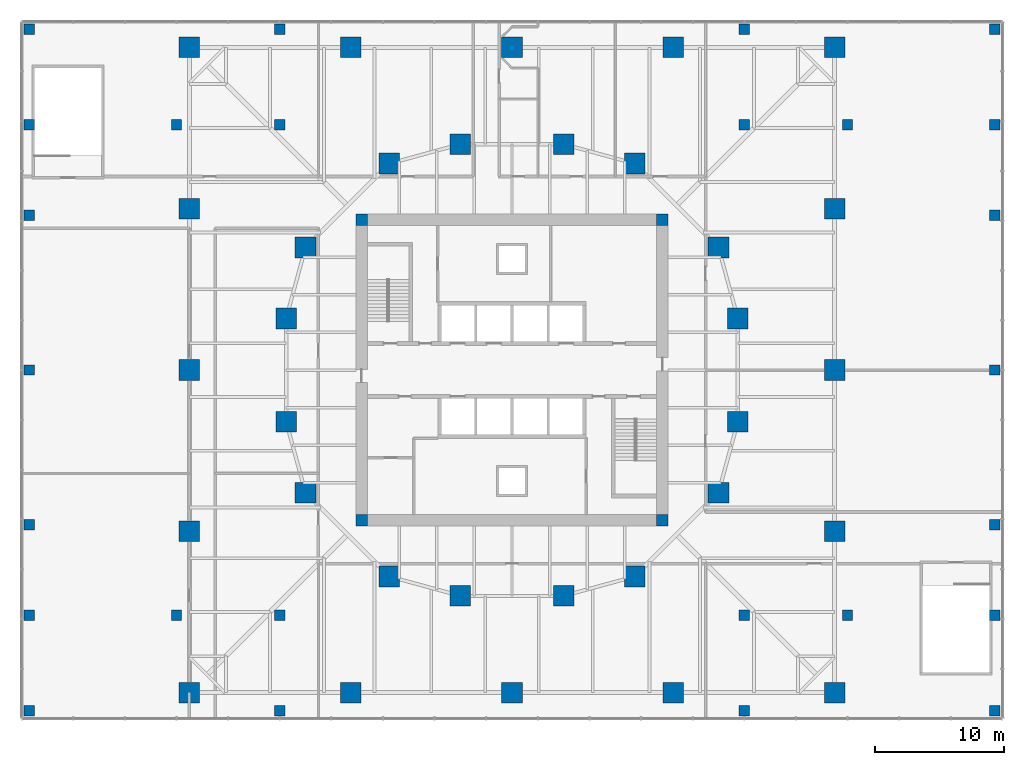
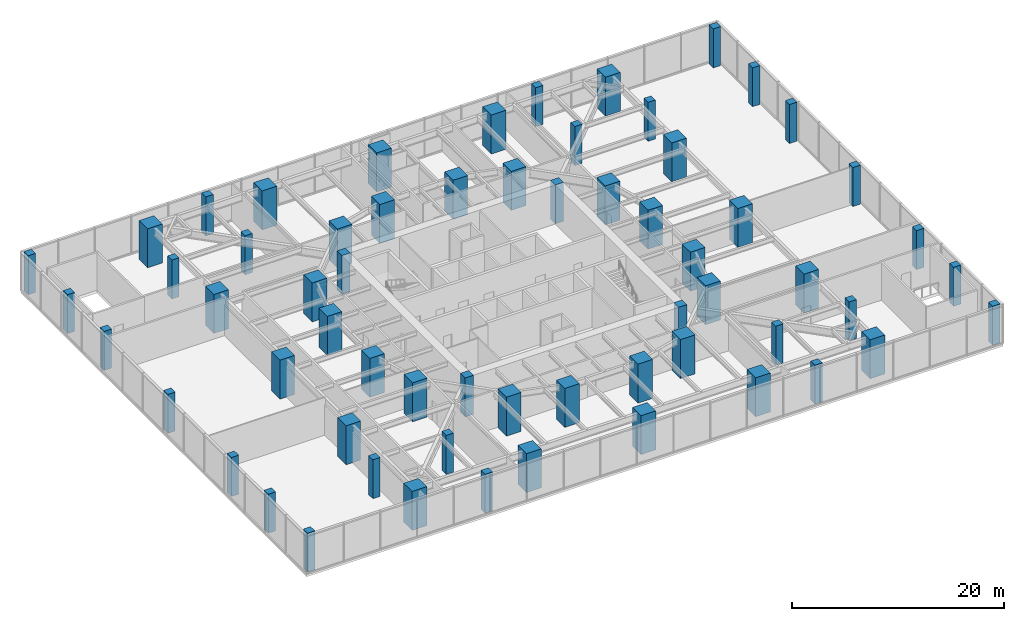
# One storey, part 1 of 14: 62 columns.
"""IFC4 building model written with IfcOpenShell, lengths in metres."""

import ifcopenshell
import ifcopenshell.guid

model = None  # the IFC model being written
_history = None  # IfcOwnerHistory: only IFC2X3 demands one
_inside = {}  # id of a spatial element -> (the spatial element, [elements in it])
_under = {}  # id of a project, library or spatial element -> (it, [spatial elements below it])
_declared = {}  # id of a project -> (the project, [libraries it declares])
_typed = {}  # id of a type object -> (the type object, [elements of that type])
_made_of = {}  # id of a material, layer set ... -> (it, [elements and type objects made of it])


def new_model(schema):
    """Start an empty IFC model of exactly this schema.

    Asked for "IFC4X3", IfcOpenShell would pick the latest addendum, in which some entities
    have other attributes; the version numbers below select the first issue.
    IFC2X3 requires an IfcOwnerHistory on every rooted entity: one is made here for all.
    """
    global model, _history
    if schema == "IFC4X3":
        model = ifcopenshell.file(schema_version=(4, 3, 0, 0))
    else:
        model = ifcopenshell.file(schema=schema)
    _inside.clear()
    _under.clear()
    _declared.clear()
    _typed.clear()
    _made_of.clear()
    _history = None
    if model.schema == "IFC2X3":
        org = make("IfcOrganization", Name="unknown")
        user = make(
            "IfcPersonAndOrganization",
            ThePerson=make("IfcPerson", FamilyName="unknown"),
            TheOrganization=org,
        )
        app = make(
            "IfcApplication",
            ApplicationDeveloper=org,
            Version="unknown",
            ApplicationFullName="unknown",
            ApplicationIdentifier="unknown",
        )
        _history = make(
            "IfcOwnerHistory",
            OwningUser=user,
            OwningApplication=app,
            ChangeAction="ADDED",
            CreationDate=0,
        )
    return model


def make(cls, **values):
    """One entity of the class cls with the attributes given. An attribute that is None is left unset."""
    return model.create_entity(
        cls, **{name: value for name, value in values.items() if value is not None}
    )


def rooted(cls, **values):
    """An entity with a GlobalId (a new one), such as an element, a storey or a relation."""
    return make(cls, GlobalId=ifcopenshell.guid.new(), OwnerHistory=_history, **values)


def si_unit(unit_type, name, prefix=None):
    """IfcSIUnit, for example si_unit("LENGTHUNIT", "METRE", prefix="MILLI")."""
    return make("IfcSIUnit", UnitType=unit_type, Prefix=prefix, Name=name)


def assignment(units):
    """IfcUnitAssignment: the units of a project."""
    return None if units is None else make("IfcUnitAssignment", Units=units)


def point(xyz):
    """IfcCartesianPoint."""
    return None if xyz is None else make("IfcCartesianPoint", Coordinates=xyz)


def direction(xyz):
    """IfcDirection."""
    return None if xyz is None else make("IfcDirection", DirectionRatios=xyz)


def frame(location, z_axis=None, x_axis=None):
    """IfcAxis2Placement3D, a coordinate frame: its origin and axes. An axis left out is left unset."""
    return make(
        "IfcAxis2Placement3D",
        Location=point(location),
        Axis=direction(z_axis),
        RefDirection=direction(x_axis),
    )


def frame_2d(location, x_axis=None):
    """IfcAxis2Placement2D, a coordinate frame in the plane: its origin and x axis."""
    return make(
        "IfcAxis2Placement2D", Location=point(location), RefDirection=direction(x_axis)
    )


def origin():
    """The frame at (0, 0, 0) with its axes left unset."""
    return frame((0.0, 0.0, 0.0))


def origin_2d():
    """The frame at (0, 0) in the plane with its x axis left unset."""
    return frame_2d((0.0, 0.0))


def place(relative_to, where):
    """IfcLocalPlacement: puts the frame where relative to a parent placement (None: the world)."""
    return make(
        "IfcLocalPlacement", PlacementRelTo=relative_to, RelativePlacement=where
    )


def context(
    kind, dimensions, precision=None, world=None, true_north=None, identifier=None
):
    """IfcGeometricRepresentationContext, for example the 3D "Model" context."""
    return make(
        "IfcGeometricRepresentationContext",
        ContextIdentifier=identifier,
        ContextType=kind,
        CoordinateSpaceDimension=dimensions,
        Precision=precision,
        WorldCoordinateSystem=world,
        TrueNorth=true_north,
    )


def subcontext(parent, identifier, kind, view, scale=None):
    """IfcGeometricRepresentationSubContext, for example "Body" below "Model"."""
    return make(
        "IfcGeometricRepresentationSubContext",
        ContextIdentifier=identifier,
        ContextType=kind,
        ParentContext=parent,
        TargetScale=scale,
        TargetView=view,
    )


def project(units=None, contexts=None):
    """IfcProject with its units and contexts."""
    return rooted(
        "IfcProject",
        Name="project",
        RepresentationContexts=contexts,
        UnitsInContext=assignment(units),
    )


def spatial(cls, under=None, at=None, **own):
    """A site, building, storey or space (cls), placed at a placement, below another one or the project."""
    s = rooted(cls, ObjectPlacement=at, **own)
    if under is not None:
        _under.setdefault(under.id(), (under, []))[1].append(s)
    return s


def profile(cls, at=None, kind="AREA", **sizes):
    """A parametric profile (cls). Its sizes go by their IFC names, for example OverallWidth=200.0."""
    return make(cls, ProfileType=kind, Position=at, **sizes)


def rectangle(**sizes):
    """IfcRectangleProfileDef."""
    return profile("IfcRectangleProfileDef", **sizes)


def extrude(swept, where, along, depth):
    """IfcExtrudedAreaSolid: the profile swept, set in the frame where, extruded along a direction by depth."""
    return make(
        "IfcExtrudedAreaSolid",
        SweptArea=swept,
        Position=where,
        ExtrudedDirection=direction(along),
        Depth=depth,
    )


def shape(context_of_items, identifier, shape_type, items):
    """IfcShapeRepresentation: the items that make up one representation, for example the "Body"."""
    return make(
        "IfcShapeRepresentation",
        ContextOfItems=context_of_items,
        RepresentationIdentifier=identifier,
        RepresentationType=shape_type,
        Items=items,
    )


def material(Name=None, Category=None):
    """IfcMaterial."""
    return make("IfcMaterial", Name=Name, Category=Category)


def material_profile(
    of_material, cross_section, Name=None, Category=None, Priority=None
):
    """IfcMaterialProfile: a cross section and its material."""
    return make(
        "IfcMaterialProfile",
        Name=Name,
        Material=of_material,
        Profile=cross_section,
        Priority=Priority,
        Category=Category,
    )


def profile_set(profiles, Name=None, composite=None):
    """IfcMaterialProfileSet."""
    return make(
        "IfcMaterialProfileSet",
        Name=Name,
        MaterialProfiles=profiles,
        CompositeProfile=composite,
    )


def made_of(thing, what):
    """Note that an element or type object is made of a material, layer set ...; save() writes the relation."""
    if what is not None:
        _made_of.setdefault(what.id(), (what, []))[1].append(thing)
    return thing


def type_object(cls, material=None, **own):
    """A type object (cls), such as IfcWallType, which elements share."""
    return made_of(rooted(cls, **own), material)


def element(
    cls,
    number,
    at=None,
    inside=None,
    cuts=None,
    type_object=None,
    material=None,
    context=None,
    identifier="Body",
    shape_type=None,
    held_by="IfcProductDefinitionShape",
    body=None,
    shapes=None,
    **own,
):
    """One element of the class cls, such as IfcWall. Its Tag is "e" and its number.

    at: its placement. inside: the storey or other place that contains it. cuts: it is an
    opening in that element (IfcRelVoidsElement). A single representation is given by context,
    identifier, shape_type and body (its items); several are given by shapes. held_by: the class
    of the entity that holds the representations. save() writes the other relations.
    """
    e = rooted(cls, Tag="e%d" % number, ObjectPlacement=at, **own)
    if body is not None:
        shapes = [shape(context, identifier, shape_type, body)]
    if shapes is not None:
        e.Representation = make(held_by, Representations=shapes)
    if inside is not None:
        _inside.setdefault(inside.id(), (inside, []))[1].append(e)
    if cuts is not None:
        rooted(
            "IfcRelVoidsElement", RelatingBuildingElement=cuts, RelatedOpeningElement=e
        )
    if type_object is not None:
        _typed.setdefault(type_object.id(), (type_object, []))[1].append(e)
    return made_of(e, material)


def aggregate(whole, parts):
    """IfcRelAggregates: a whole, such as a stair, and the parts it consists of."""
    return rooted("IfcRelAggregates", RelatingObject=whole, RelatedObjects=parts)


def save(model, path):
    """Write the relations noted so far, then the file.

    IfcRelAggregates (storeys below a building ...), IfcRelContainedInSpatialStructure (elements
    in a storey), IfcRelDefinesByType, IfcRelAssociatesMaterial and IfcRelDeclares: one each for
    every whole, place, type object, material and project.
    """
    for whole, parts in _under.values():
        aggregate(whole, parts)
    for where, things in _inside.values():
        rooted(
            "IfcRelContainedInSpatialStructure",
            RelatedElements=things,
            RelatingStructure=where,
        )
    for kind, things in _typed.values():
        rooted("IfcRelDefinesByType", RelatedObjects=things, RelatingType=kind)
    for what, things in _made_of.values():
        rooted("IfcRelAssociatesMaterial", RelatedObjects=things, RelatingMaterial=what)
    for by, libraries in _declared.values():
        rooted("IfcRelDeclares", RelatingContext=by, RelatedDefinitions=libraries)
    model.write(path)


model = new_model("IFC4")

# Units and contexts
model_context = context("Model", 3, precision=1e-05, world=origin(), true_north=direction((0.0, 1.0)))
body_context = subcontext(model_context, "Body", "Model", "MODEL_VIEW")
ifc_project = project(units=[si_unit("LENGTHUNIT", "METRE"), si_unit("AREAUNIT", "SQUARE_METRE"), si_unit("VOLUMEUNIT", "CUBIC_METRE"), si_unit("PLANEANGLEUNIT", "RADIAN"), si_unit("MASSUNIT", "GRAM", prefix="KILO")], contexts=[model_context])

# Site, building, storey
site_placement = place(None, origin())
site = spatial("IfcSite", under=ifc_project, at=site_placement, CompositionType="ELEMENT")
building_placement = place(site_placement, origin())
building = spatial("IfcBuilding", under=site, at=building_placement, Name="Torsade Residences", CompositionType="ELEMENT")
storey_placement = place(building_placement, frame((0.0, 0.0, 10.5)))
storey = spatial("IfcBuildingStorey", under=building, at=storey_placement, Name="L02", CompositionType="ELEMENT", Elevation=10.5)

# Columns
ifc_material_1 = material(Name="Concrete 80 MPa", Category="concrete")
ifc_material_profile_1 = material_profile(ifc_material_1, rectangle(XDim=0.89990234375, YDim=0.89990234375, at=origin_2d()), Name="RC 900x900")
ifc_profile_set_1 = profile_set([ifc_material_profile_1], Name="Concrete 80 MPa")
column_type_1 = type_object("IfcColumnType", Name="CORE CORNER COLUMN RC 900x900", PredefinedType="COLUMN", material=ifc_profile_set_1)
for number, where, z_axis, x_axis, name in (
    (1, (28.35009765625, 18.35009765625, 0.0), (0.0, 0.0, 1.0), (1.0, 0.0, 0.0), "Core corner column CC1 L02"),
    (2, (51.64990234375, 18.35009765625, 0.0), (0.0, 0.0, 1.0), (1.0, 0.0, 0.0), "Core corner column CC2 L02"),
    (3, (51.64990234375, 41.64990234375, 0.0), (0.0, 0.0, 1.0), (1.0, 0.0, 0.0), "Core corner column CC3 L02"),
    (4, (28.35009765625, 41.64990234375, 0.0), (0.0, 0.0, 1.0), (1.0, 0.0, 0.0), "Core corner column CC4 L02"),
):
    element("IfcColumn", number, at=place(storey_placement, frame(where, z_axis=z_axis, x_axis=x_axis)), inside=storey, type_object=column_type_1, Name=name, PredefinedType="COLUMN", context=body_context, shape_type="SweptSolid", body=[
        extrude(rectangle(XDim=0.89990234375, YDim=0.89990234375, at=origin_2d()), origin(), (0.0, 0.0, 1.0), 4.5),
    ])
ifc_material_2 = material(Name="Concrete 80 MPa", Category="concrete")
ifc_material_profile_2 = material_profile(ifc_material_2, rectangle(XDim=1.60009765625, YDim=1.60009765625, at=origin_2d()), Name="RC 1600x1600")
ifc_profile_set_2 = profile_set([ifc_material_profile_2], Name="Concrete 80 MPa")
column_type_2 = type_object("IfcColumnType", Name="INNER RING COLUMN RC 1600x1600", PredefinedType="COLUMN", material=ifc_profile_set_2)
for number, where, z_axis, x_axis, name in (
    (5, (57.5, 26.0, 0.0), (0.0, 0.0, 1.0), (1.0, 0.0, 0.0), "Inner ring column IR01 L02"),
    (6, (57.5, 34.0, 0.0), (0.0, 0.0, 1.0), (1.0, 0.0, 0.0), "Inner ring column IR02 L02"),
    (7, (56.0, 39.5, 0.0), (0.0, 0.0, 1.0), (1.0, 0.0, 0.0), "Inner ring column IR03 L02"),
    (8, (49.5, 46.0, 0.0), (0.0, 0.0, 1.0), (1.0, 0.0, 0.0), "Inner ring column IR04 L02"),
    (9, (44.0, 47.5, 0.0), (0.0, 0.0, 1.0), (1.0, 0.0, 0.0), "Inner ring column IR05 L02"),
    (10, (36.0, 47.5, 0.0), (0.0, 0.0, 1.0), (1.0, 0.0, 0.0), "Inner ring column IR06 L02"),
    (11, (30.5, 46.0, 0.0), (0.0, 0.0, 1.0), (1.0, 0.0, 0.0), "Inner ring column IR07 L02"),
    (12, (24.0, 39.5, 0.0), (0.0, 0.0, 1.0), (1.0, 0.0, 0.0), "Inner ring column IR08 L02"),
    (13, (22.5, 34.0, 0.0), (0.0, 0.0, 1.0), (1.0, 0.0, 0.0), "Inner ring column IR09 L02"),
    (14, (22.5, 26.0, 0.0), (0.0, 0.0, 1.0), (1.0, 0.0, 0.0), "Inner ring column IR10 L02"),
    (15, (24.0, 20.5, 0.0), (0.0, 0.0, 1.0), (1.0, 0.0, 0.0), "Inner ring column IR11 L02"),
    (16, (30.5, 14.0, 0.0), (0.0, 0.0, 1.0), (1.0, 0.0, 0.0), "Inner ring column IR12 L02"),
    (17, (36.0, 12.5, 0.0), (0.0, 0.0, 1.0), (1.0, 0.0, 0.0), "Inner ring column IR13 L02"),
    (18, (44.0, 12.5, 0.0), (0.0, 0.0, 1.0), (1.0, 0.0, 0.0), "Inner ring column IR14 L02"),
    (19, (49.5, 14.0, 0.0), (0.0, 0.0, 1.0), (1.0, 0.0, 0.0), "Inner ring column IR15 L02"),
    (20, (56.0, 20.5, 0.0), (0.0, 0.0, 1.0), (1.0, 0.0, 0.0), "Inner ring column IR16 L02"),
):
    element("IfcColumn", number, at=place(storey_placement, frame(where, z_axis=z_axis, x_axis=x_axis)), inside=storey, type_object=column_type_2, Name=name, PredefinedType="COLUMN", context=body_context, shape_type="SweptSolid", body=[
        extrude(rectangle(XDim=1.60009765625, YDim=1.60009765625, at=origin_2d()), origin(), (0.0, 0.0, 1.0), 4.5),
    ])
ifc_material_3 = material(Name="Concrete 40 MPa", Category="concrete")
ifc_material_profile_3 = material_profile(ifc_material_3, rectangle(XDim=0.800048828125, YDim=0.800048828125, at=origin_2d()), Name="RC 800x800")
ifc_profile_set_3 = profile_set([ifc_material_profile_3], Name="Concrete 40 MPa")
column_type_3 = type_object("IfcColumnType", Name="PODIUM COLUMN RC 800x800", PredefinedType="COLUMN", material=ifc_profile_set_3)
for number, where, z_axis, x_axis, name in (
    (21, (2.60009765625, 3.60009765625, 0.0), (0.0, 0.0, 1.0), (1.0, 0.0, 0.0), "Column 1A L02"),
    (22, (2.60009765625, 11.0, 0.0), (0.0, 0.0, 1.0), (1.0, 0.0, 0.0), "Column 1B L02"),
    (23, (2.60009765625, 18.0, 0.0), (0.0, 0.0, 1.0), (1.0, 0.0, 0.0), "Column 1C L02"),
    (24, (2.60009765625, 30.0, 0.0), (0.0, 0.0, 1.0), (1.0, 0.0, 0.0), "Column 1D L02"),
    (25, (2.60009765625, 42.0, 0.0), (0.0, 0.0, 1.0), (1.0, 0.0, 0.0), "Column 1E L02"),
    (26, (2.60009765625, 49.0, 0.0), (0.0, 0.0, 1.0), (1.0, 0.0, 0.0), "Column 1F L02"),
    (27, (2.60009765625, 56.39990234375, 0.0), (0.0, 0.0, 1.0), (1.0, 0.0, 0.0), "Column 1G L02"),
    (28, (14.0, 11.0, 0.0), (0.0, 0.0, 1.0), (1.0, 0.0, 0.0), "Column 2B L02"),
    (29, (14.0, 49.0, 0.0), (0.0, 0.0, 1.0), (1.0, 0.0, 0.0), "Column 2F L02"),
    (30, (22.0, 3.60009765625, 0.0), (0.0, 0.0, 1.0), (1.0, 0.0, 0.0), "Column 3A L02"),
    (31, (22.0, 11.0, 0.0), (0.0, 0.0, 1.0), (1.0, 0.0, 0.0), "Column 3B L02"),
    (32, (22.0, 49.0, 0.0), (0.0, 0.0, 1.0), (1.0, 0.0, 0.0), "Column 3F L02"),
    (33, (22.0, 56.39990234375, 0.0), (0.0, 0.0, 1.0), (1.0, 0.0, 0.0), "Column 3G L02"),
    (34, (58.0, 3.60009765625, 0.0), (0.0, 0.0, 1.0), (1.0, 0.0, 0.0), "Column 7A L02"),
    (35, (58.0, 11.0, 0.0), (0.0, 0.0, 1.0), (1.0, 0.0, 0.0), "Column 7B L02"),
    (36, (58.0, 49.0, 0.0), (0.0, 0.0, 1.0), (1.0, 0.0, 0.0), "Column 7F L02"),
    (37, (58.0, 56.39990234375, 0.0), (0.0, 0.0, 1.0), (1.0, 0.0, 0.0), "Column 7G L02"),
    (38, (66.0, 11.0, 0.0), (0.0, 0.0, 1.0), (1.0, 0.0, 0.0), "Column 8B L02"),
    (39, (66.0, 49.0, 0.0), (0.0, 0.0, 1.0), (1.0, 0.0, 0.0), "Column 8F L02"),
    (40, (77.39990234375, 3.60009765625, 0.0), (0.0, 0.0, 1.0), (1.0, 0.0, 0.0), "Column 9A L02"),
    (41, (77.39990234375, 11.0, 0.0), (0.0, 0.0, 1.0), (1.0, 0.0, 0.0), "Column 9B L02"),
    (42, (77.39990234375, 18.0, 0.0), (0.0, 0.0, 1.0), (1.0, 0.0, 0.0), "Column 9C L02"),
    (43, (77.39990234375, 30.0, 0.0), (0.0, 0.0, 1.0), (1.0, 0.0, 0.0), "Column 9D L02"),
    (44, (77.39990234375, 42.0, 0.0), (0.0, 0.0, 1.0), (1.0, 0.0, 0.0), "Column 9E L02"),
    (45, (77.39990234375, 49.0, 0.0), (0.0, 0.0, 1.0), (1.0, 0.0, 0.0), "Column 9F L02"),
    (46, (77.39990234375, 56.39990234375, 0.0), (0.0, 0.0, 1.0), (1.0, 0.0, 0.0), "Column 9G L02"),
):
    element("IfcColumn", number, at=place(storey_placement, frame(where, z_axis=z_axis, x_axis=x_axis)), inside=storey, type_object=column_type_3, Name=name, PredefinedType="COLUMN", context=body_context, shape_type="SweptSolid", body=[
        extrude(rectangle(XDim=0.800048828125, YDim=0.800048828125, at=origin_2d()), origin(), (0.0, 0.0, 1.0), 4.5),
    ])
ifc_material_4 = material(Name="Concrete 80 MPa", Category="concrete")
ifc_material_profile_4 = material_profile(ifc_material_4, rectangle(XDim=1.60009765625, YDim=1.60009765625, at=origin_2d()), Name="RC 1600x1600")
ifc_profile_set_4 = profile_set([ifc_material_profile_4], Name="Concrete 80 MPa")
column_type_4 = type_object("IfcColumnType", Name="TOWER COLUMN RC 1600x1600", PredefinedType="COLUMN", material=ifc_profile_set_4)
for number, where, z_axis, x_axis, name in (
    (47, (15.0, 5.0, 0.0), (0.0, 0.0, 1.0), (1.0, 0.0, 0.0), "Column TC1-01 L02"),
    (48, (27.5, 5.0, 0.0), (0.0, 0.0, 1.0), (1.0, 0.0, 0.0), "Column TC1-02 L02"),
    (49, (40.0, 5.0, 0.0), (0.0, 0.0, 1.0), (1.0, 0.0, 0.0), "Column TC1-03 L02"),
    (50, (52.5, 5.0, 0.0), (0.0, 0.0, 1.0), (1.0, 0.0, 0.0), "Column TC1-04 L02"),
    (51, (65.0, 5.0, 0.0), (0.0, 0.0, 1.0), (1.0, 0.0, 0.0), "Column TC1-05 L02"),
    (52, (65.0, 17.5, 0.0), (0.0, 0.0, 1.0), (1.0, 0.0, 0.0), "Column TC1-06 L02"),
    (53, (65.0, 30.0, 0.0), (0.0, 0.0, 1.0), (1.0, 0.0, 0.0), "Column TC1-07 L02"),
    (54, (65.0, 42.5, 0.0), (0.0, 0.0, 1.0), (1.0, 0.0, 0.0), "Column TC1-08 L02"),
    (55, (65.0, 55.0, 0.0), (0.0, 0.0, 1.0), (1.0, 0.0, 0.0), "Column TC1-09 L02"),
    (56, (52.5, 55.0, 0.0), (0.0, 0.0, 1.0), (1.0, 0.0, 0.0), "Column TC1-10 L02"),
    (57, (40.0, 55.0, 0.0), (0.0, 0.0, 1.0), (1.0, 0.0, 0.0), "Column TC1-11 L02"),
    (58, (27.5, 55.0, 0.0), (0.0, 0.0, 1.0), (1.0, 0.0, 0.0), "Column TC1-12 L02"),
    (59, (15.0, 55.0, 0.0), (0.0, 0.0, 1.0), (1.0, 0.0, 0.0), "Column TC1-13 L02"),
    (60, (15.0, 42.5, 0.0), (0.0, 0.0, 1.0), (1.0, 0.0, 0.0), "Column TC1-14 L02"),
    (61, (15.0, 30.0, 0.0), (0.0, 0.0, 1.0), (1.0, 0.0, 0.0), "Column TC1-15 L02"),
    (62, (15.0, 17.5, 0.0), (0.0, 0.0, 1.0), (1.0, 0.0, 0.0), "Column TC1-16 L02"),
):
    element("IfcColumn", number, at=place(storey_placement, frame(where, z_axis=z_axis, x_axis=x_axis)), inside=storey, type_object=column_type_4, Name=name, PredefinedType="COLUMN", context=body_context, shape_type="SweptSolid", body=[
        extrude(rectangle(XDim=1.60009765625, YDim=1.60009765625, at=origin_2d()), origin(), (0.0, 0.0, 1.0), 4.5),
    ])

save(model, "model.ifc")
